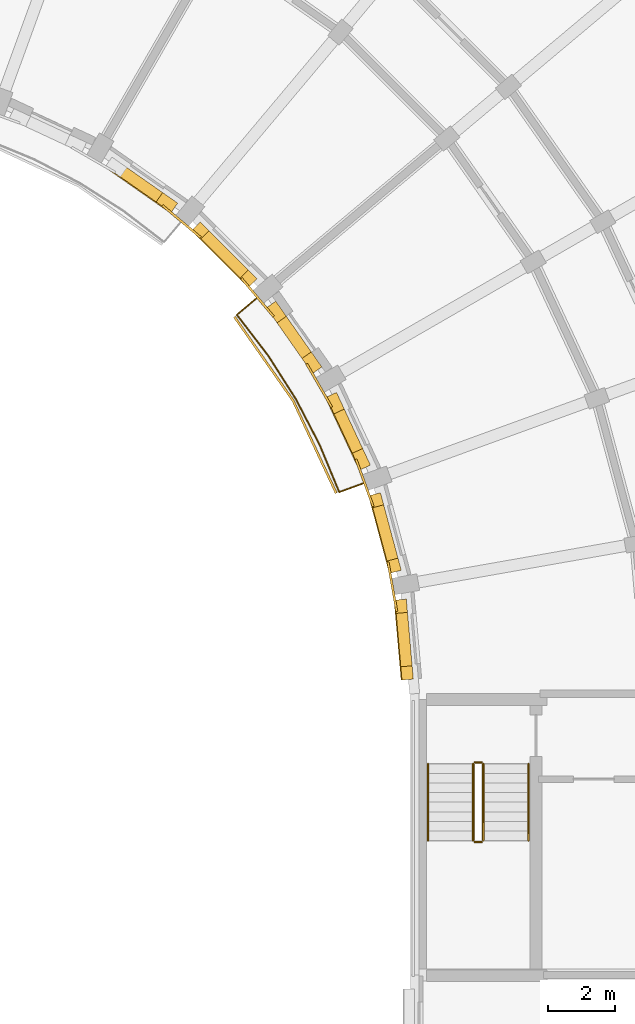
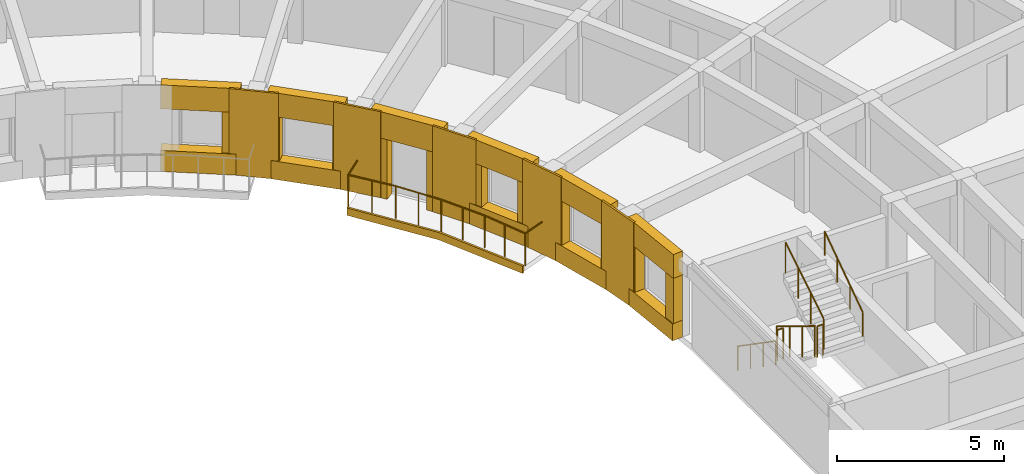
# One storey, part 52 of 54: 28 coverings, 7 railings.
"""IFC4 building model written with IfcOpenShell, lengths in metres."""

from ifc_helpers import new_model, si_unit, direction, frame, origin, origin_2d, place, context, subcontext, project, spatial, polyline, circle, outline, extrude, material, layer, layer_set, type_object, element, save


model = new_model("IFC4")

# Units and contexts
model_context = context("Model", 3, precision=1e-05, world=origin(), true_north=direction((0.0, 1.0)))
body_context = subcontext(model_context, "Body", "Model", "MODEL_VIEW")
ifc_project = project(units=[si_unit("LENGTHUNIT", "METRE"), si_unit("AREAUNIT", "SQUARE_METRE"), si_unit("VOLUMEUNIT", "CUBIC_METRE"), si_unit("PLANEANGLEUNIT", "RADIAN"), si_unit("MASSUNIT", "GRAM", prefix="KILO")], contexts=[model_context])

# Site, building, storey
site_placement = place(None, origin())
site = spatial("IfcSite", under=ifc_project, at=site_placement, CompositionType="ELEMENT")
building_placement = place(site_placement, origin())
building = spatial("IfcBuilding", under=site, at=building_placement, Name="Kiranvali Square Residences", CompositionType="ELEMENT")
storey_placement = place(building_placement, frame((0.0, 0.0, 27.60009765625)))
storey = spatial("IfcBuildingStorey", under=building, at=storey_placement, Name="L08", CompositionType="ELEMENT", Elevation=27.60009765625)

# Coverings
ifc_material_1 = material(Name="Carved Porbandar limestone classical entablature and cornice", Category="masonry")
ifc_layer_1 = layer(ifc_material_1, 0.06201171875)
ifc_layer_set_1 = layer_set([ifc_layer_1], Name="Carved Porbandar limestone classical entablature and cornice")
covering_type_1 = type_object("IfcCoveringType", Name="COV-CLAD-GBAL", PredefinedType="CLADDING", material=ifc_layer_set_1)
covering_1_placement = place(storey_placement, frame((0.0, 0.0, -0.22021484375)))
element("IfcCovering", 1, at=covering_1_placement, inside=storey, type_object=covering_type_1, Name="Block B L08 garden balcony limestone fascia 2", PredefinedType="CLADDING", context=body_context, shape_type="SweptSolid", body=[
    extrude(outline(polyline([(133.1904296875, 99.035888671875), (134.938232421875, 96.5400390625), (136.225830078125, 93.778564453125), (136.289794921875, 93.8017578125), (134.9970703125, 96.573974609375), (133.242431640625, 99.07958984375), (133.1904296875, 99.035888671875)])), origin(), (0.0, 0.0, 1.0), 0.27001953125),
])
ifc_material_2 = material(Name="Honed Porbandar limestone ashlar facade cladding", Category="masonry")
ifc_layer_2 = layer(ifc_material_2, 0.3798828125)
ifc_layer_set_2 = layer_set([ifc_layer_2], Name="Honed Porbandar limestone ashlar facade cladding")
covering_type_2 = type_object("IfcCoveringType", Name="COV-CLAD-JAMB", PredefinedType="CLADDING", material=ifc_layer_set_2)
covering_2_placement = place(storey_placement, frame((0.0, 0.0, 0.77197265625)))
element("IfcCovering", 2, at=covering_2_placement, inside=storey, type_object=covering_type_2, Name="L08 deep limestone window jamb reveal B-L08-GDN-03.R", PredefinedType="CLADDING", context=body_context, shape_type="SweptSolid", body=[
    extrude(outline(polyline([(130.879638671875, 102.490234375), (131.328857421875, 102.175537109375), (131.523681640625, 102.45361328125), (131.074462890625, 102.768310546875), (130.879638671875, 102.490234375)])), origin(), (0.0, 0.0, 1.0), 1.5),
])
covering_3_placement = place(storey_placement, frame((0.0, 0.0, 0.671875)))
element("IfcCovering", 3, at=covering_3_placement, inside=storey, type_object=covering_type_2, Name="L08 deep limestone window jamb reveal B-L08-GDN-04.L", PredefinedType="CLADDING", context=body_context, shape_type="SweptSolid", body=[
    extrude(outline(polyline([(131.955078125, 101.650146484375), (132.21923828125, 101.385986328125), (132.459228515625, 101.6259765625), (132.195068359375, 101.89013671875), (131.955078125, 101.650146484375)])), origin(), (0.0, 0.0, 1.0), 1.60009765625),
])
covering_4_placement = place(storey_placement, frame((0.0, 0.0, 0.671875)))
element("IfcCovering", 4, at=covering_4_placement, inside=storey, type_object=covering_type_2, Name="L08 deep limestone window jamb reveal B-L08-GDN-04.R", PredefinedType="CLADDING", context=body_context, shape_type="SweptSolid", body=[
    extrude(outline(polyline([(133.385986328125, 100.21923828125), (133.650146484375, 99.955078125), (133.89013671875, 100.195068359375), (133.6259765625, 100.459228515625), (133.385986328125, 100.21923828125)])), origin(), (0.0, 0.0, 1.0), 1.60009765625),
])
covering_5_placement = place(storey_placement, origin())
element("IfcCovering", 5, at=covering_5_placement, inside=storey, type_object=covering_type_2, Name="L08 deep limestone window jamb reveal B-L08-GDN-05.L", PredefinedType="CLADDING", context=body_context, shape_type="SweptSolid", body=[
    extrude(outline(polyline([(134.175537109375, 99.328857421875), (134.490234375, 98.879638671875), (134.768310546875, 99.074462890625), (134.45361328125, 99.523681640625), (134.175537109375, 99.328857421875)])), origin(), (0.0, 0.0, 1.0), 2.179931640625),
])
covering_6_placement = place(storey_placement, origin())
element("IfcCovering", 6, at=covering_6_placement, inside=storey, type_object=covering_type_2, Name="L08 deep limestone window jamb reveal B-L08-GDN-05.R", PredefinedType="CLADDING", context=body_context, shape_type="SweptSolid", body=[
    extrude(outline(polyline([(135.23583984375, 97.814697265625), (135.55029296875, 97.365478515625), (135.828369140625, 97.56005859375), (135.513916015625, 98.009521484375), (135.23583984375, 97.814697265625)])), origin(), (0.0, 0.0, 1.0), 2.179931640625),
])
covering_7_placement = place(storey_placement, frame((0.0, 0.0, 0.77197265625)))
element("IfcCovering", 7, at=covering_7_placement, inside=storey, type_object=covering_type_2, Name="L08 deep limestone window jamb reveal B-L08-GDN-06.L", PredefinedType="CLADDING", context=body_context, shape_type="SweptSolid", body=[
    extrude(outline(polyline([(135.958984375, 96.657470703125), (136.19091796875, 96.160400390625), (136.49853515625, 96.303955078125), (136.266845703125, 96.801025390625), (135.958984375, 96.657470703125)])), origin(), (0.0, 0.0, 1.0), 1.5),
])
covering_8_placement = place(storey_placement, frame((0.0, 0.0, 0.77197265625)))
element("IfcCovering", 8, at=covering_8_placement, inside=storey, type_object=covering_type_2, Name="L08 deep limestone window jamb reveal B-L08-GDN-06.R", PredefinedType="CLADDING", context=body_context, shape_type="SweptSolid", body=[
    extrude(outline(polyline([(136.740234375, 94.982177734375), (136.97216796875, 94.485107421875), (137.27978515625, 94.62841796875), (137.048095703125, 95.125732421875), (136.740234375, 94.982177734375)])), origin(), (0.0, 0.0, 1.0), 1.5),
])
covering_9_placement = place(storey_placement, frame((0.0, 0.0, 0.671875)))
element("IfcCovering", 9, at=covering_9_placement, inside=storey, type_object=covering_type_2, Name="L08 deep limestone window jamb reveal B-L08-GDN-07.L", PredefinedType="CLADDING", context=body_context, shape_type="SweptSolid", body=[
    extrude(outline(polyline([(137.251708984375, 93.717041015625), (137.348388671875, 93.356201171875), (137.67626953125, 93.444091796875), (137.57958984375, 93.804931640625), (137.251708984375, 93.717041015625)])), origin(), (0.0, 0.0, 1.0), 1.60009765625),
])
covering_10_placement = place(storey_placement, frame((0.0, 0.0, 0.671875)))
element("IfcCovering", 10, at=covering_10_placement, inside=storey, type_object=covering_type_2, Name="L08 deep limestone window jamb reveal B-L08-GDN-07.R", PredefinedType="CLADDING", context=body_context, shape_type="SweptSolid", body=[
    extrude(outline(polyline([(137.775390625, 91.762451171875), (137.8720703125, 91.401611328125), (138.199951171875, 91.489501953125), (138.103271484375, 91.850341796875), (137.775390625, 91.762451171875)])), origin(), (0.0, 0.0, 1.0), 1.60009765625),
])
covering_11_placement = place(storey_placement, frame((0.0, 0.0, 0.621826171875)))
element("IfcCovering", 11, at=covering_11_placement, inside=storey, type_object=covering_type_2, Name="L08 deep limestone window jamb reveal B-L08-GDN-08.L", PredefinedType="CLADDING", context=body_context, shape_type="SweptSolid", body=[
    extrude(outline(polyline([(138.013916015625, 90.5966796875), (138.048828125, 90.19970703125), (138.386962890625, 90.229248046875), (138.352294921875, 90.626220703125), (138.013916015625, 90.5966796875)])), origin(), (0.0, 0.0, 1.0), 1.650146484375),
])
covering_12_placement = place(storey_placement, frame((0.0, 0.0, 0.621826171875)))
element("IfcCovering", 12, at=covering_12_placement, inside=storey, type_object=covering_type_2, Name="L08 deep limestone window jamb reveal B-L08-GDN-08.R", PredefinedType="CLADDING", context=body_context, shape_type="SweptSolid", body=[
    extrude(outline(polyline([(138.188232421875, 88.605712890625), (138.222900390625, 88.208740234375), (138.56103515625, 88.23828125), (138.5263671875, 88.63525390625), (138.188232421875, 88.605712890625)])), origin(), (0.0, 0.0, 1.0), 1.650146484375),
])
ifc_layer_3 = layer(ifc_material_2, 0.050048828125)
ifc_layer_set_3 = layer_set([ifc_layer_3], Name="Honed Porbandar limestone ashlar facade cladding")
covering_type_3 = type_object("IfcCoveringType", Name="COV-CLAD-PIER-IN", PredefinedType="CLADDING", material=ifc_layer_set_3)
covering_13_placement = place(storey_placement, frame((0.0, 0.0, 0.0048828125)))
element("IfcCovering", 13, at=covering_13_placement, inside=storey, type_object=covering_type_3, Name="L08 Classical garden courtyard pilaster CLAD-PRIN-B-L08-A04", PredefinedType="CLADDING", context=body_context, shape_type="SweptSolid", body=[
    extrude(outline(polyline([(131.041259765625, 102.363525390625), (132.190185546875, 101.3994140625), (132.233642578125, 101.451171875), (131.08447265625, 102.415283203125), (131.041259765625, 102.363525390625)])), origin(), (0.0, 0.0, 1.0), 3.14013671875),
])
covering_14_placement = place(storey_placement, frame((0.0, 0.0, 0.0048828125)))
element("IfcCovering", 14, at=covering_14_placement, inside=storey, type_object=covering_type_3, Name="L08 Classical garden courtyard pilaster CLAD-PRIN-B-L08-A05", PredefinedType="CLADDING", context=body_context, shape_type="SweptSolid", body=[
    extrude(outline(polyline([(133.3994140625, 100.190185546875), (134.363525390625, 99.041259765625), (134.415283203125, 99.08447265625), (133.451171875, 100.233642578125), (133.3994140625, 100.190185546875)])), origin(), (0.0, 0.0, 1.0), 3.14013671875),
])
covering_15_placement = place(storey_placement, frame((0.0, 0.0, 0.0048828125)))
element("IfcCovering", 15, at=covering_15_placement, inside=storey, type_object=covering_type_3, Name="L08 Classical garden courtyard pilaster CLAD-PRIN-B-L08-A06", PredefinedType="CLADDING", context=body_context, shape_type="SweptSolid", body=[
    extrude(outline(polyline([(135.34423828125, 97.640625), (136.09423828125, 96.341552734375), (136.15283203125, 96.375244140625), (135.40283203125, 97.67431640625), (135.34423828125, 97.640625)])), origin(), (0.0, 0.0, 1.0), 3.14013671875),
])
covering_16_placement = place(storey_placement, frame((0.0, 0.0, 0.0048828125)))
element("IfcCovering", 16, at=covering_16_placement, inside=storey, type_object=covering_type_3, Name="L08 Classical garden courtyard pilaster CLAD-PRIN-B-L08-A07", PredefinedType="CLADDING", context=body_context, shape_type="SweptSolid", body=[
    extrude(outline(polyline([(136.81689453125, 94.791748046875), (137.329833984375, 93.38232421875), (137.393310546875, 93.4052734375), (136.88037109375, 94.81494140625), (136.81689453125, 94.791748046875)])), origin(), (0.0, 0.0, 1.0), 3.14013671875),
])
covering_17_placement = place(storey_placement, frame((0.0, 0.0, 0.0048828125)))
element("IfcCovering", 17, at=covering_17_placement, inside=storey, type_object=covering_type_3, Name="L08 Classical garden courtyard pilaster CLAD-PRIN-B-L08-A08", PredefinedType="CLADDING", context=body_context, shape_type="SweptSolid", body=[
    extrude(outline(polyline([(137.7724609375, 91.730712890625), (138.032958984375, 90.25341796875), (138.099365234375, 90.26513671875), (137.8388671875, 91.742431640625), (137.7724609375, 91.730712890625)])), origin(), (0.0, 0.0, 1.0), 3.14013671875),
])
ifc_layer_4 = layer(ifc_material_2, 0.360107421875)
ifc_layer_set_4 = layer_set([ifc_layer_4], Name="Honed Porbandar limestone ashlar facade cladding")
covering_type_4 = type_object("IfcCoveringType", Name="COV-CLAD-WALL", PredefinedType="CLADDING", material=ifc_layer_set_4)
covering_18_placement = place(storey_placement, frame((0.0, 0.0, 2.27197265625)))
element("IfcCovering", 18, at=covering_18_placement, inside=storey, type_object=covering_type_4, Name="L08 light limestone spandrel lintel B-L08-GDN-03", PredefinedType="CLADDING", context=body_context, shape_type="SweptSolid", body=[
    extrude(outline(polyline([(129.365478515625, 103.55029296875), (131.328857421875, 102.175537109375), (131.523681640625, 102.45361328125), (129.56005859375, 103.828369140625), (129.365478515625, 103.55029296875)])), origin(), (0.0, 0.0, 1.0), 0.873046875),
])
covering_19_placement = place(storey_placement, frame((0.0, 0.0, 2.27197265625)))
element("IfcCovering", 19, at=covering_19_placement, inside=storey, type_object=covering_type_4, Name="L08 light limestone spandrel lintel B-L08-GDN-04", PredefinedType="CLADDING", context=body_context, shape_type="SweptSolid", body=[
    extrude(outline(polyline([(131.955078125, 101.650146484375), (133.650146484375, 99.955078125), (133.89013671875, 100.195068359375), (132.195068359375, 101.89013671875), (131.955078125, 101.650146484375)])), origin(), (0.0, 0.0, 1.0), 0.873046875),
])
covering_20_placement = place(storey_placement, frame((0.0, 0.0, 2.179931640625)))
element("IfcCovering", 20, at=covering_20_placement, inside=storey, type_object=covering_type_4, Name="L08 light limestone spandrel lintel B-L08-GDN-05", PredefinedType="CLADDING", context=body_context, shape_type="SweptSolid", body=[
    extrude(outline(polyline([(134.175537109375, 99.328857421875), (135.55029296875, 97.365478515625), (135.828369140625, 97.56005859375), (134.45361328125, 99.523681640625), (134.175537109375, 99.328857421875)])), origin(), (0.0, 0.0, 1.0), 0.965087890625),
])
covering_21_placement = place(storey_placement, frame((0.0, 0.0, 2.27197265625)))
element("IfcCovering", 21, at=covering_21_placement, inside=storey, type_object=covering_type_4, Name="L08 light limestone spandrel lintel B-L08-GDN-06", PredefinedType="CLADDING", context=body_context, shape_type="SweptSolid", body=[
    extrude(outline(polyline([(135.958984375, 96.657470703125), (136.97216796875, 94.485107421875), (137.27978515625, 94.62841796875), (136.266845703125, 96.801025390625), (135.958984375, 96.657470703125)])), origin(), (0.0, 0.0, 1.0), 0.873046875),
])
covering_22_placement = place(storey_placement, frame((0.0, 0.0, 2.27197265625)))
element("IfcCovering", 22, at=covering_22_placement, inside=storey, type_object=covering_type_4, Name="L08 light limestone spandrel lintel B-L08-GDN-07", PredefinedType="CLADDING", context=body_context, shape_type="SweptSolid", body=[
    extrude(outline(polyline([(137.251708984375, 93.717041015625), (137.8720703125, 91.401611328125), (138.199951171875, 91.489501953125), (137.57958984375, 93.804931640625), (137.251708984375, 93.717041015625)])), origin(), (0.0, 0.0, 1.0), 0.873046875),
])
covering_23_placement = place(storey_placement, frame((0.0, 0.0, 2.27197265625)))
element("IfcCovering", 23, at=covering_23_placement, inside=storey, type_object=covering_type_4, Name="L08 light limestone spandrel lintel B-L08-GDN-08", PredefinedType="CLADDING", context=body_context, shape_type="SweptSolid", body=[
    extrude(outline(polyline([(138.013916015625, 90.5966796875), (138.222900390625, 88.208740234375), (138.56103515625, 88.23828125), (138.352294921875, 90.626220703125), (138.013916015625, 90.5966796875)])), origin(), (0.0, 0.0, 1.0), 0.873046875),
])
ifc_layer_5 = layer(ifc_material_2, 0.2900390625)
ifc_layer_set_5 = layer_set([ifc_layer_5], Name="Honed Porbandar limestone ashlar facade cladding")
covering_type_5 = type_object("IfcCoveringType", Name="COV-CLAD-WALL-IN", PredefinedType="CLADDING", material=ifc_layer_set_5)
covering_24_placement = place(storey_placement, frame((0.0, 0.0, 0.0048828125)))
element("IfcCovering", 24, at=covering_24_placement, inside=storey, type_object=covering_type_5, Name="L08 limestone window sill apron B-L08-GDN-03", PredefinedType="CLADDING", context=body_context, shape_type="SweptSolid", body=[
    extrude(outline(polyline([(129.34814453125, 103.52587890625), (131.311767578125, 102.15087890625), (131.523681640625, 102.45361328125), (129.56005859375, 103.828369140625), (129.34814453125, 103.52587890625)])), origin(), (0.0, 0.0, 1.0), 0.76708984375),
])
covering_25_placement = place(storey_placement, frame((0.0, 0.0, 0.0048828125)))
element("IfcCovering", 25, at=covering_25_placement, inside=storey, type_object=covering_type_5, Name="L08 limestone window sill apron B-L08-GDN-04", PredefinedType="CLADDING", context=body_context, shape_type="SweptSolid", body=[
    extrude(outline(polyline([(131.933837890625, 101.62890625), (133.62890625, 99.933837890625), (133.89013671875, 100.195068359375), (132.195068359375, 101.89013671875), (131.933837890625, 101.62890625)])), origin(), (0.0, 0.0, 1.0), 0.6669921875),
])
covering_26_placement = place(storey_placement, frame((0.0, 0.0, 0.0048828125)))
element("IfcCovering", 26, at=covering_26_placement, inside=storey, type_object=covering_type_5, Name="L08 limestone window sill apron B-L08-GDN-06", PredefinedType="CLADDING", context=body_context, shape_type="SweptSolid", body=[
    extrude(outline(polyline([(135.931884765625, 96.644775390625), (136.94482421875, 94.472412109375), (137.27978515625, 94.62841796875), (136.266845703125, 96.801025390625), (135.931884765625, 96.644775390625)])), origin(), (0.0, 0.0, 1.0), 0.76708984375),
])
covering_27_placement = place(storey_placement, frame((0.0, 0.0, 0.0048828125)))
element("IfcCovering", 27, at=covering_27_placement, inside=storey, type_object=covering_type_5, Name="L08 limestone window sill apron B-L08-GDN-07", PredefinedType="CLADDING", context=body_context, shape_type="SweptSolid", body=[
    extrude(outline(polyline([(137.22265625, 93.709228515625), (137.843017578125, 91.393798828125), (138.199951171875, 91.489501953125), (137.57958984375, 93.804931640625), (137.22265625, 93.709228515625)])), origin(), (0.0, 0.0, 1.0), 0.6669921875),
])
covering_28_placement = place(storey_placement, frame((0.0, 0.0, 0.0048828125)))
element("IfcCovering", 28, at=covering_28_placement, inside=storey, type_object=covering_type_5, Name="L08 limestone window sill apron B-L08-GDN-08", PredefinedType="CLADDING", context=body_context, shape_type="SweptSolid", body=[
    extrude(outline(polyline([(137.984130859375, 90.593994140625), (138.193115234375, 88.2060546875), (138.56103515625, 88.23828125), (138.352294921875, 90.626220703125), (137.984130859375, 90.593994140625)])), origin(), (0.0, 0.0, 1.0), 0.616943359375),
])

# Railings
ifc_material_3 = material(Name="Powder-coated architectural bronze balustrade", Category="steel")
railing_type_1 = type_object("IfcRailingType", Name="RL-BAL-GOLD-1200", PredefinedType="BALUSTRADE", material=ifc_material_3)
railing_1_placement = place(storey_placement, frame((134.1708984375, 99.858642578125, 0.0)))
element("IfcRailing", 29, at=railing_1_placement, inside=storey, type_object=railing_type_1, Name="Block B L08 garden balcony gold balustrade 2", PredefinedType="BALUSTRADE", context=body_context, shape_type="SweptSolid", body=[
    extrude(circle(Radius=0.02392578125, at=origin_2d()), frame((0.0, 0.0, 1.17578125), z_axis=(-0.765989188314, -0.642853454051, 0.0), x_axis=(0.642853454051, -0.765989188314, 0.0)), (0.0, 0.0, 1.0), 1.14990234375),
    extrude(circle(Radius=0.02392578125, at=origin_2d()), frame((-0.880859375, -0.7392578125, 1.17578125), z_axis=(0.608811807471, -0.793314680996, 0.0), x_axis=(0.793314680996, 0.608811807471, 0.0)), (0.0, 0.0, 1.0), 1.536376953125),
    extrude(circle(Radius=0.02392578125, at=origin_2d()), frame((0.054443359375, -1.9580078125, 1.17578125), z_axis=(0.537307309343, -0.843386539688, 0.0), x_axis=(0.843386539688, 0.537307309343, 0.0)), (0.0, 0.0, 1.0), 1.5361328125),
    extrude(circle(Radius=0.02392578125, at=origin_2d()), frame((0.8798828125, -3.253662109375, 1.17578125), z_axis=(0.461713009976, -0.887029366154, 0.0), x_axis=(0.887029366154, 0.461713009976, 0.0)), (0.0, 0.0, 1.0), 1.5361328125),
    extrude(circle(Radius=0.02392578125, at=origin_2d()), frame((1.589111328125, -4.6162109375, 1.17578125), z_axis=(0.382651197843, -0.923892883829, 0.0), x_axis=(0.923892883829, 0.382651197843, 0.0)), (0.0, 0.0, 1.0), 1.536376953125),
    extrude(circle(Radius=0.02392578125, at=origin_2d()), frame((2.177001953125, -6.03564453125, 1.17578125), z_axis=(0.939712828289, 0.341964618562, 0.0), x_axis=(-0.341964618562, 0.939712828289, 0.0)), (0.0, 0.0, 1.0), 1.150146484375),
    extrude(circle(Radius=0.02099609375, at=origin_2d()), origin(), (0.0, 0.0, 1.0), 1.15185546875),
    extrude(circle(Radius=0.02099609375, at=origin_2d()), frame((-0.880859375, -0.7392578125, 0.0)), (0.0, 0.0, 1.0), 1.15185546875),
    extrude(circle(Radius=0.02099609375, at=origin_2d()), frame((-0.4130859375, -1.3486328125, 0.0)), (0.0, 0.0, 1.0), 1.15185546875),
    extrude(circle(Radius=0.02099609375, at=origin_2d()), frame((0.054443359375, -1.9580078125, 0.0)), (0.0, 0.0, 1.0), 1.15185546875),
    extrude(circle(Radius=0.02099609375, at=origin_2d()), frame((0.46728515625, -2.60595703125, 0.0)), (0.0, 0.0, 1.0), 1.15185546875),
    extrude(circle(Radius=0.02099609375, at=origin_2d()), frame((0.8798828125, -3.253662109375, 0.0)), (0.0, 0.0, 1.0), 1.15185546875),
    extrude(circle(Radius=0.02099609375, at=origin_2d()), frame((1.234375, -3.93505859375, 0.0)), (0.0, 0.0, 1.0), 1.15185546875),
    extrude(circle(Radius=0.02099609375, at=origin_2d()), frame((1.589111328125, -4.6162109375, 0.0)), (0.0, 0.0, 1.0), 1.15185546875),
    extrude(circle(Radius=0.02099609375, at=origin_2d()), frame((1.883056640625, -5.325927734375, 0.0)), (0.0, 0.0, 1.0), 1.15185546875),
    extrude(circle(Radius=0.02099609375, at=origin_2d()), frame((2.177001953125, -6.03564453125, 0.0)), (0.0, 0.0, 1.0), 1.15185546875),
    extrude(circle(Radius=0.02099609375, at=origin_2d()), frame((3.2578125, -5.642333984375, 0.0)), (0.0, 0.0, 1.0), 1.15185546875),
])
ifc_material_4 = material(Name="Brushed stainless steel tubular handrail", Category="steel")
railing_type_2 = type_object("IfcRailingType", Name="RL-HANDRAIL-900", PredefinedType="HANDRAIL", material=ifc_material_4)
railing_2_placement = place(storey_placement, frame((139.0, 85.699951171875, 0.1748046875)))
element("IfcRailing", 30, at=railing_2_placement, inside=storey, type_object=railing_type_2, Name="L08 ST-B3 stair handrail 1", PredefinedType="HANDRAIL", context=body_context, shape_type="SweptSolid", body=[
    extrude(circle(Radius=0.02392578125, at=origin_2d()), frame((0.0, 0.0, 0.8759765625), z_axis=(0.0, -0.82274681792, 0.568408016835), x_axis=(1.0, 0.0, 0.0)), (0.0, 0.0, 1.0), 2.771240234375),
    extrude(circle(Radius=0.02099609375, at=origin_2d()), origin(), (0.0, 0.0, 1.0), 0.851806640625),
    extrude(circle(Radius=0.02099609375, at=origin_2d()), frame((0.0, -0.760009765625, 0.525146484375)), (0.0, 0.0, 1.0), 0.851806640625),
    extrude(circle(Radius=0.02099609375, at=origin_2d()), frame((0.0, -1.52001953125, 1.050048828125)), (0.0, 0.0, 1.0), 0.851806640625),
    extrude(circle(Radius=0.02099609375, at=origin_2d()), frame((0.0, -2.280029296875, 1.5751953125)), (0.0, 0.0, 1.0), 0.851806640625),
])
railing_3_placement = place(storey_placement, frame((142.0, 83.419921875, 1.75)))
element("IfcRailing", 31, at=railing_3_placement, inside=storey, type_object=railing_type_2, Name="L08 ST-B3 stair handrail 2", PredefinedType="HANDRAIL", context=body_context, shape_type="SweptSolid", body=[
    extrude(circle(Radius=0.02392578125, at=origin_2d()), frame((0.0, 0.0, 0.8759765625), z_axis=(0.0, 0.82278801735, 0.568348377763), x_axis=(-1.0, 0.0, 0.0)), (0.0, 0.0, 1.0), 2.77099609375),
    extrude(circle(Radius=0.02099609375, at=origin_2d()), origin(), (0.0, 0.0, 1.0), 0.851806640625),
    extrude(circle(Radius=0.02099609375, at=origin_2d()), frame((0.0, 0.760009765625, 0.52490234375)), (0.0, 0.0, 1.0), 0.851806640625),
    extrude(circle(Radius=0.02099609375, at=origin_2d()), frame((0.0, 1.52001953125, 1.050048828125)), (0.0, 0.0, 1.0), 0.851806640625),
    extrude(circle(Radius=0.02099609375, at=origin_2d()), frame((0.0, 2.280029296875, 1.574951171875)), (0.0, 0.0, 1.0), 0.851806640625),
])
railing_type_3 = type_object("IfcRailingType", Name="RL-ST-GUARD-1200", PredefinedType="GUARDRAIL", material=ifc_material_3)
railing_4_placement = place(storey_placement, frame((140.35009765625, 85.699951171875, 0.1748046875)))
element("IfcRailing", 32, at=railing_4_placement, inside=storey, type_object=railing_type_3, Name="L08 ST-B3 stair guard 1", PredefinedType="GUARDRAIL", context=body_context, shape_type="SweptSolid", body=[
    extrude(circle(Radius=0.02392578125, at=origin_2d()), frame((0.0, 0.0, 1.1259765625), z_axis=(0.0, -0.852149810458, 0.523297908018), x_axis=(1.0, 0.0, 0.0)), (0.0, 0.0, 1.0), 2.675537109375),
    extrude(circle(Radius=0.02099609375, at=origin_2d()), origin(), (0.0, 0.0, 1.0), 1.101806640625),
    extrude(circle(Radius=0.02099609375, at=origin_2d()), frame((0.0, -0.760009765625, 0.466796875)), (0.0, 0.0, 1.0), 1.101806640625),
    extrude(circle(Radius=0.02099609375, at=origin_2d()), frame((0.0, -1.52001953125, 0.933349609375)), (0.0, 0.0, 1.0), 1.101806640625),
    extrude(circle(Radius=0.02099609375, at=origin_2d()), frame((0.0, -2.280029296875, 1.400146484375)), (0.0, 0.0, 1.0), 1.101806640625),
])
railing_5_placement = place(storey_placement, frame((140.39990234375, 83.3701171875, 1.574951171875)))
element("IfcRailing", 33, at=railing_5_placement, inside=storey, type_object=railing_type_3, Name="L08 ST-B3 stair guard 2", PredefinedType="GUARDRAIL", context=body_context, shape_type="SweptSolid", body=[
    extrude(circle(Radius=0.02392578125, at=origin_2d()), frame((0.0, 0.0, 1.1259765625), z_axis=(1.0, 0.0, 0.0), x_axis=(0.0, 1.0, 0.0)), (0.0, 0.0, 1.0), 0.2001953125),
    extrude(circle(Radius=0.02099609375, at=origin_2d()), origin(), (0.0, 0.0, 1.0), 1.101806640625),
    extrude(circle(Radius=0.02099609375, at=origin_2d()), frame((0.2001953125, 0.0, 0.0)), (0.0, 0.0, 1.0), 1.101806640625),
])
railing_6_placement = place(storey_placement, frame((140.64990234375, 83.419921875, 1.75)))
element("IfcRailing", 34, at=railing_6_placement, inside=storey, type_object=railing_type_3, Name="L08 ST-B3 stair guard 3", PredefinedType="GUARDRAIL", context=body_context, shape_type="SweptSolid", body=[
    extrude(circle(Radius=0.02392578125, at=origin_2d()), frame((0.0, 0.0, 1.1259765625), z_axis=(0.0, 0.852190499154, 0.523231643875), x_axis=(-1.0, 0.0, 0.0)), (0.0, 0.0, 1.0), 2.675537109375),
    extrude(circle(Radius=0.02099609375, at=origin_2d()), origin(), (0.0, 0.0, 1.0), 1.101806640625),
    extrude(circle(Radius=0.02099609375, at=origin_2d()), frame((0.0, 0.760009765625, 0.466552734375)), (0.0, 0.0, 1.0), 1.101806640625),
    extrude(circle(Radius=0.02099609375, at=origin_2d()), frame((0.0, 1.52001953125, 0.933349609375)), (0.0, 0.0, 1.0), 1.101806640625),
    extrude(circle(Radius=0.02099609375, at=origin_2d()), frame((0.0, 2.280029296875, 1.39990234375)), (0.0, 0.0, 1.0), 1.101806640625),
])
railing_7_placement = place(storey_placement, frame((140.39990234375, 85.75, 0.0)))
element("IfcRailing", 35, at=railing_7_placement, inside=storey, type_object=railing_type_3, Name="L08 ST-B3 stair guard 4", PredefinedType="GUARDRAIL", context=body_context, shape_type="SweptSolid", body=[
    extrude(circle(Radius=0.02392578125, at=origin_2d()), frame((0.0, 0.0, 1.1259765625), z_axis=(1.0, 0.0, 0.0), x_axis=(0.0, 1.0, 0.0)), (0.0, 0.0, 1.0), 0.2001953125),
    extrude(circle(Radius=0.02099609375, at=origin_2d()), origin(), (0.0, 0.0, 1.0), 1.101806640625),
    extrude(circle(Radius=0.02099609375, at=origin_2d()), frame((0.2001953125, 0.0, 0.0)), (0.0, 0.0, 1.0), 1.101806640625),
])

save(model, "model.ifc")
